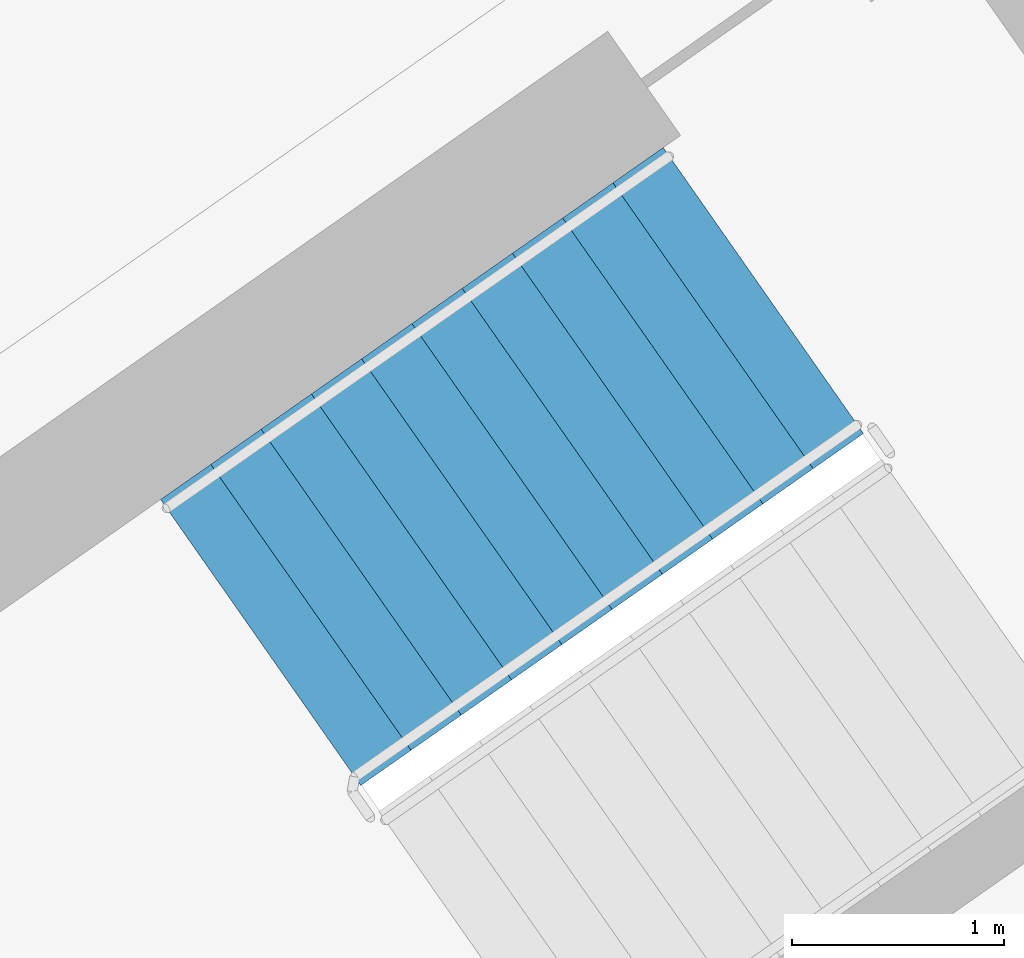
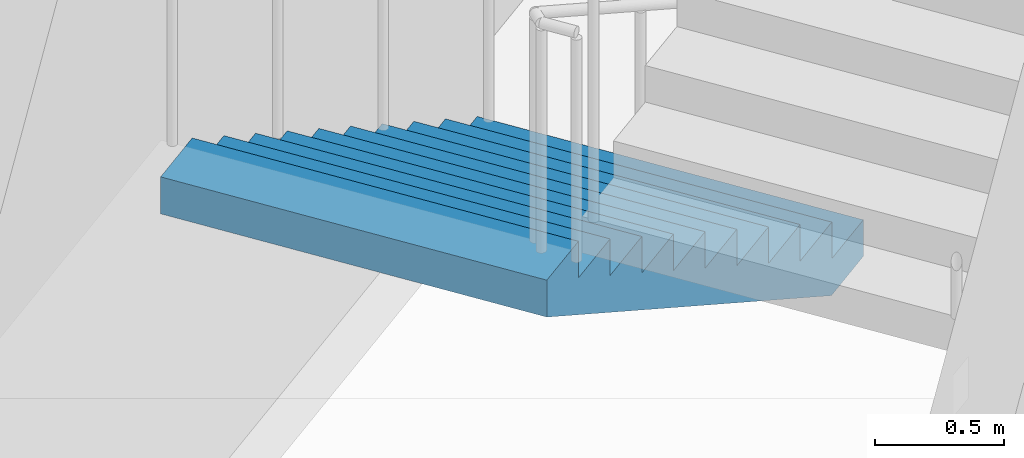
# One storey, part 15 of 30: 1 stair flight, 1 element without a shape of its own.
"""IFC4 building model written with IfcOpenShell, lengths in metres."""

from ifc_helpers import new_model, si_unit, direction, frame, origin, place, context, subcontext, project, spatial, faceted_brep, material, type_object, element, aggregate, save


model = new_model("IFC4")

# Units and contexts
model_context = context("Model", 3, precision=1e-05, world=origin(), true_north=direction((0.0, 1.0)))
body_context = subcontext(model_context, "Body", "Model", "MODEL_VIEW")
ifc_project = project(units=[si_unit("LENGTHUNIT", "METRE"), si_unit("AREAUNIT", "SQUARE_METRE"), si_unit("VOLUMEUNIT", "CUBIC_METRE"), si_unit("PLANEANGLEUNIT", "RADIAN"), si_unit("MASSUNIT", "GRAM", prefix="KILO")], contexts=[model_context])

# Site, building, storey
site_placement = place(None, origin())
site = spatial("IfcSite", under=ifc_project, at=site_placement, CompositionType="ELEMENT")
building_placement = place(site_placement, origin())
building = spatial("IfcBuilding", under=site, at=building_placement, Name="Qamariyya Broadcast Tower", CompositionType="ELEMENT")
storey_placement = place(building_placement, frame((0.0, 0.0, 203.699951171875)))
storey = spatial("IfcBuildingStorey", under=building, at=storey_placement, Name="L48", CompositionType="ELEMENT", Elevation=203.699951171875)

# Stair, stair flight
ifc_material = material(Name="Concrete C50/60", Category="concrete")
stair_type = type_object("IfcStairType", Name="Exit stair 22 risers of 173 mm", PredefinedType="HALF_TURN_STAIR", material=ifc_material)
stair_placement = place(storey_placement, origin())
stair = element("IfcStair", 1, at=stair_placement, inside=storey, type_object=stair_type, Name="L48 Stair E2", PredefinedType="HALF_TURN_STAIR")
stair_flight_type = type_object("IfcStairFlightType", Name="Exit stair flight 11 risers of 173 mm", PredefinedType="STRAIGHT", material=ifc_material)
stair_flight_placement = place(storey_placement, frame((40.558837890625, -47.685302734375, 0.0), z_axis=(0.0, 0.0, 1.0), x_axis=(-0.819152044289, -0.573576436351, 0.0)))
stair_flight = element("IfcStairFlight", 2, at=stair_flight_placement, type_object=stair_flight_type, Name="ST-E2 flight 1", NumberOfRisers=11, NumberOfTreads=10, PredefinedType="STRAIGHT", RiserHeight=0.172727273, TreadLength=0.29, context=body_context, shape_type="Brep", body=[
    faceted_brep([(0.0, 0.824951171875, 0.0), (0.0, 0.824951171875, 0.172607421875), (0.2900390625, 0.824951171875, 0.172607421875), (0.2900390625, 0.824951171875, 0.345458984375), (0.580078125, 0.824951171875, 0.345458984375), (0.580078125, 0.824951171875, 0.51806640625), (0.8701171875, 0.824951171875, 0.51806640625), (0.8701171875, 0.824951171875, 0.69091796875), (1.159912109375, 0.824951171875, 0.69091796875), (1.159912109375, 0.824951171875, 0.863525390625), (1.449951171875, 0.824951171875, 0.863525390625), (1.449951171875, 0.824951171875, 1.036376953125), (1.739990234375, 0.824951171875, 1.036376953125), (1.739990234375, 0.824951171875, 1.208984375), (2.030029296875, 0.824951171875, 1.208984375), (2.030029296875, 0.824951171875, 1.3818359375), (2.320068359375, 0.824951171875, 1.3818359375), (2.320068359375, 0.824951171875, 1.554443359375), (2.610107421875, 0.824951171875, 1.554443359375), (2.610107421875, 0.824951171875, 1.727294921875), (2.89990234375, 0.824951171875, 1.727294921875), (2.89990234375, 0.824951171875, 1.552734375), (0.29296875, 0.824951171875, 0.0), (0.29296875, -0.824951171875, 0.0), (2.89990234375, -0.824951171875, 1.552734375), (2.89990234375, -0.824951171875, 1.727294921875), (2.610107421875, -0.824951171875, 1.727294921875), (2.610107421875, -0.824951171875, 1.554443359375), (2.320068359375, -0.824951171875, 1.554443359375), (2.320068359375, -0.824951171875, 1.3818359375), (2.030029296875, -0.824951171875, 1.3818359375), (2.030029296875, -0.824951171875, 1.208984375), (1.739990234375, -0.824951171875, 1.208984375), (1.739990234375, -0.824951171875, 1.036376953125), (1.449951171875, -0.824951171875, 1.036376953125), (1.449951171875, -0.824951171875, 0.863525390625), (1.159912109375, -0.824951171875, 0.863525390625), (1.159912109375, -0.824951171875, 0.69091796875), (0.8701171875, -0.824951171875, 0.69091796875), (0.8701171875, -0.824951171875, 0.51806640625), (0.580078125, -0.824951171875, 0.51806640625), (0.580078125, -0.824951171875, 0.345458984375), (0.2900390625, -0.824951171875, 0.345458984375), (0.2900390625, -0.824951171875, 0.172607421875), (0.0, -0.824951171875, 0.172607421875), (0.0, -0.824951171875, 0.0), (0.0, 0.10009765625, 0.0), (0.0, 0.086669921875, 0.0), (0.0, 0.0732421875, 0.0), (0.0, 0.06005859375, 0.0), (0.0, 0.046630859375, 0.0), (0.0, 0.033447265625, 0.0), (0.0, 0.02001953125, 0.0), (0.0, 0.006591796875, 0.0), (0.0, -0.006591796875, 0.0), (0.0, -0.02001953125, 0.0), (0.0, -0.033447265625, 0.0), (0.0, -0.046630859375, 0.0), (0.0, -0.06005859375, 0.0), (0.0, -0.0732421875, 0.0), (0.0, -0.086669921875, 0.0), (0.0, -0.10009765625, 0.0), (0.0, -0.10009765625, 0.172607421875), (0.0, -0.086669921875, 0.172607421875), (0.0, -0.0732421875, 0.172607421875), (0.0, -0.06005859375, 0.172607421875), (0.0, -0.046630859375, 0.172607421875), (0.0, -0.033447265625, 0.172607421875), (0.0, -0.02001953125, 0.172607421875), (0.0, -0.006591796875, 0.172607421875), (0.0, 0.006591796875, 0.172607421875), (0.0, 0.02001953125, 0.172607421875), (0.0, 0.033447265625, 0.172607421875), (0.0, 0.046630859375, 0.172607421875), (0.0, 0.06005859375, 0.172607421875), (0.0, 0.0732421875, 0.172607421875), (0.0, 0.086669921875, 0.172607421875), (0.0, 0.10009765625, 0.172607421875), (0.2900390625, -0.10009765625, 0.172607421875), (0.2900390625, -0.086669921875, 0.172607421875), (0.2900390625, -0.0732421875, 0.172607421875), (0.2900390625, -0.06005859375, 0.172607421875), (0.2900390625, -0.046630859375, 0.172607421875), (0.2900390625, -0.033447265625, 0.172607421875), (0.2900390625, -0.02001953125, 0.172607421875), (0.2900390625, -0.006591796875, 0.172607421875), (0.2900390625, 0.006591796875, 0.172607421875), (0.2900390625, 0.02001953125, 0.172607421875), (0.2900390625, 0.033447265625, 0.172607421875), (0.2900390625, 0.046630859375, 0.172607421875), (0.2900390625, 0.06005859375, 0.172607421875), (0.2900390625, 0.0732421875, 0.172607421875), (0.2900390625, 0.086669921875, 0.172607421875), (0.2900390625, 0.10009765625, 0.172607421875), (0.2900390625, -0.10009765625, 0.345458984375), (0.2900390625, -0.086669921875, 0.345458984375), (0.2900390625, -0.0732421875, 0.345458984375), (0.2900390625, -0.06005859375, 0.345458984375), (0.2900390625, -0.046630859375, 0.345458984375), (0.2900390625, -0.033447265625, 0.345458984375), (0.2900390625, -0.02001953125, 0.345458984375), (0.2900390625, -0.006591796875, 0.345458984375), (0.2900390625, 0.006591796875, 0.345458984375), (0.2900390625, 0.02001953125, 0.345458984375), (0.2900390625, 0.033447265625, 0.345458984375), (0.2900390625, 0.046630859375, 0.345458984375), (0.2900390625, 0.06005859375, 0.345458984375), (0.2900390625, 0.0732421875, 0.345458984375), (0.2900390625, 0.086669921875, 0.345458984375), (0.2900390625, 0.10009765625, 0.345458984375), (0.580078125, -0.10009765625, 0.345458984375), (0.580078125, -0.086669921875, 0.345458984375), (0.580078125, -0.0732421875, 0.345458984375), (0.580078125, -0.06005859375, 0.345458984375), (0.580078125, -0.046630859375, 0.345458984375), (0.580078125, -0.033447265625, 0.345458984375), (0.580078125, -0.02001953125, 0.345458984375), (0.580078125, -0.006591796875, 0.345458984375), (0.580078125, 0.006591796875, 0.345458984375), (0.580078125, 0.02001953125, 0.345458984375), (0.580078125, 0.033447265625, 0.345458984375), (0.580078125, 0.046630859375, 0.345458984375), (0.580078125, 0.06005859375, 0.345458984375), (0.580078125, 0.0732421875, 0.345458984375), (0.580078125, 0.086669921875, 0.345458984375), (0.580078125, 0.10009765625, 0.345458984375), (0.580078125, -0.10009765625, 0.51806640625), (0.580078125, -0.086669921875, 0.51806640625), (0.580078125, -0.0732421875, 0.51806640625), (0.580078125, -0.06005859375, 0.51806640625), (0.580078125, -0.046630859375, 0.51806640625), (0.580078125, -0.033447265625, 0.51806640625), (0.580078125, -0.02001953125, 0.51806640625), (0.580078125, -0.006591796875, 0.51806640625), (0.580078125, 0.006591796875, 0.51806640625), (0.580078125, 0.02001953125, 0.51806640625), (0.580078125, 0.033447265625, 0.51806640625), (0.580078125, 0.046630859375, 0.51806640625), (0.580078125, 0.06005859375, 0.51806640625), (0.580078125, 0.0732421875, 0.51806640625), (0.580078125, 0.086669921875, 0.51806640625), (0.580078125, 0.10009765625, 0.51806640625), (0.8701171875, -0.10009765625, 0.51806640625), (0.8701171875, -0.086669921875, 0.51806640625), (0.8701171875, -0.0732421875, 0.51806640625), (0.8701171875, -0.06005859375, 0.51806640625), (0.8701171875, -0.046630859375, 0.51806640625), (0.8701171875, -0.033447265625, 0.51806640625), (0.8701171875, -0.02001953125, 0.51806640625), (0.8701171875, -0.006591796875, 0.51806640625), (0.8701171875, 0.006591796875, 0.51806640625), (0.8701171875, 0.02001953125, 0.51806640625), (0.8701171875, 0.033447265625, 0.51806640625), (0.8701171875, 0.046630859375, 0.51806640625), (0.8701171875, 0.06005859375, 0.51806640625), (0.8701171875, 0.0732421875, 0.51806640625), (0.8701171875, 0.086669921875, 0.51806640625), (0.8701171875, 0.10009765625, 0.51806640625), (0.8701171875, -0.10009765625, 0.69091796875), (0.8701171875, -0.086669921875, 0.69091796875), (0.8701171875, -0.0732421875, 0.69091796875), (0.8701171875, -0.06005859375, 0.69091796875), (0.8701171875, -0.046630859375, 0.69091796875), (0.8701171875, -0.033447265625, 0.69091796875), (0.8701171875, -0.02001953125, 0.69091796875), (0.8701171875, -0.006591796875, 0.69091796875), (0.8701171875, 0.006591796875, 0.69091796875), (0.8701171875, 0.02001953125, 0.69091796875), (0.8701171875, 0.033447265625, 0.69091796875), (0.8701171875, 0.046630859375, 0.69091796875), (0.8701171875, 0.06005859375, 0.69091796875), (0.8701171875, 0.0732421875, 0.69091796875), (0.8701171875, 0.086669921875, 0.69091796875), (0.8701171875, 0.10009765625, 0.69091796875), (1.159912109375, -0.10009765625, 0.69091796875), (1.159912109375, -0.086669921875, 0.69091796875), (1.159912109375, -0.0732421875, 0.69091796875), (1.159912109375, -0.06005859375, 0.69091796875), (1.159912109375, -0.046630859375, 0.69091796875), (1.159912109375, -0.033447265625, 0.69091796875), (1.159912109375, -0.02001953125, 0.69091796875), (1.159912109375, -0.006591796875, 0.69091796875), (1.159912109375, 0.006591796875, 0.69091796875), (1.159912109375, 0.02001953125, 0.69091796875), (1.159912109375, 0.033447265625, 0.69091796875), (1.159912109375, 0.046630859375, 0.69091796875), (1.159912109375, 0.06005859375, 0.69091796875), (1.159912109375, 0.0732421875, 0.69091796875), (1.159912109375, 0.086669921875, 0.69091796875), (1.159912109375, 0.10009765625, 0.69091796875), (1.159912109375, -0.10009765625, 0.863525390625), (1.159912109375, -0.086669921875, 0.863525390625), (1.159912109375, -0.0732421875, 0.863525390625), (1.159912109375, -0.06005859375, 0.863525390625), (1.159912109375, -0.046630859375, 0.863525390625), (1.159912109375, -0.033447265625, 0.863525390625), (1.159912109375, -0.02001953125, 0.863525390625), (1.159912109375, -0.006591796875, 0.863525390625), (1.159912109375, 0.006591796875, 0.863525390625), (1.159912109375, 0.02001953125, 0.863525390625), (1.159912109375, 0.033447265625, 0.863525390625), (1.159912109375, 0.046630859375, 0.863525390625), (1.159912109375, 0.06005859375, 0.863525390625), (1.159912109375, 0.0732421875, 0.863525390625), (1.159912109375, 0.086669921875, 0.863525390625), (1.159912109375, 0.10009765625, 0.863525390625), (1.449951171875, -0.10009765625, 0.863525390625), (1.449951171875, -0.086669921875, 0.863525390625), (1.449951171875, -0.0732421875, 0.863525390625), (1.449951171875, -0.06005859375, 0.863525390625), (1.449951171875, -0.046630859375, 0.863525390625), (1.449951171875, -0.033447265625, 0.863525390625), (1.449951171875, -0.02001953125, 0.863525390625), (1.449951171875, -0.006591796875, 0.863525390625), (1.449951171875, 0.006591796875, 0.863525390625), (1.449951171875, 0.02001953125, 0.863525390625), (1.449951171875, 0.033447265625, 0.863525390625), (1.449951171875, 0.046630859375, 0.863525390625), (1.449951171875, 0.06005859375, 0.863525390625), (1.449951171875, 0.0732421875, 0.863525390625), (1.449951171875, 0.086669921875, 0.863525390625), (1.449951171875, 0.10009765625, 0.863525390625), (1.449951171875, -0.10009765625, 1.036376953125), (1.449951171875, -0.086669921875, 1.036376953125), (1.449951171875, -0.0732421875, 1.036376953125), (1.449951171875, -0.06005859375, 1.036376953125), (1.449951171875, -0.046630859375, 1.036376953125), (1.449951171875, -0.033447265625, 1.036376953125), (1.449951171875, -0.02001953125, 1.036376953125), (1.449951171875, -0.006591796875, 1.036376953125), (1.449951171875, 0.006591796875, 1.036376953125), (1.449951171875, 0.02001953125, 1.036376953125), (1.449951171875, 0.033447265625, 1.036376953125), (1.449951171875, 0.046630859375, 1.036376953125), (1.449951171875, 0.06005859375, 1.036376953125), (1.449951171875, 0.0732421875, 1.036376953125), (1.449951171875, 0.086669921875, 1.036376953125), (1.449951171875, 0.10009765625, 1.036376953125), (1.739990234375, -0.10009765625, 1.036376953125), (1.739990234375, -0.086669921875, 1.036376953125), (1.739990234375, -0.0732421875, 1.036376953125), (1.739990234375, -0.06005859375, 1.036376953125), (1.739990234375, -0.046630859375, 1.036376953125), (1.739990234375, -0.033447265625, 1.036376953125), (1.739990234375, -0.02001953125, 1.036376953125), (1.739990234375, -0.006591796875, 1.036376953125), (1.739990234375, 0.006591796875, 1.036376953125), (1.739990234375, 0.02001953125, 1.036376953125), (1.739990234375, 0.033447265625, 1.036376953125), (1.739990234375, 0.046630859375, 1.036376953125), (1.739990234375, 0.06005859375, 1.036376953125), (1.739990234375, 0.0732421875, 1.036376953125), (1.739990234375, 0.086669921875, 1.036376953125), (1.739990234375, 0.10009765625, 1.036376953125), (1.739990234375, -0.10009765625, 1.208984375), (1.739990234375, -0.086669921875, 1.208984375), (1.739990234375, -0.0732421875, 1.208984375), (1.739990234375, -0.06005859375, 1.208984375), (1.739990234375, -0.046630859375, 1.208984375), (1.739990234375, -0.033447265625, 1.208984375), (1.739990234375, -0.02001953125, 1.208984375), (1.739990234375, -0.006591796875, 1.208984375), (1.739990234375, 0.006591796875, 1.208984375), (1.739990234375, 0.02001953125, 1.208984375), (1.739990234375, 0.033447265625, 1.208984375), (1.739990234375, 0.046630859375, 1.208984375), (1.739990234375, 0.06005859375, 1.208984375), (1.739990234375, 0.0732421875, 1.208984375), (1.739990234375, 0.086669921875, 1.208984375), (1.739990234375, 0.10009765625, 1.208984375), (2.030029296875, -0.10009765625, 1.208984375), (2.030029296875, -0.086669921875, 1.208984375), (2.030029296875, -0.0732421875, 1.208984375), (2.030029296875, -0.06005859375, 1.208984375), (2.030029296875, -0.046630859375, 1.208984375), (2.030029296875, -0.033447265625, 1.208984375), (2.030029296875, -0.02001953125, 1.208984375), (2.030029296875, -0.006591796875, 1.208984375), (2.030029296875, 0.006591796875, 1.208984375), (2.030029296875, 0.02001953125, 1.208984375), (2.030029296875, 0.033447265625, 1.208984375), (2.030029296875, 0.046630859375, 1.208984375), (2.030029296875, 0.06005859375, 1.208984375), (2.030029296875, 0.0732421875, 1.208984375), (2.030029296875, 0.086669921875, 1.208984375), (2.030029296875, 0.10009765625, 1.208984375), (2.030029296875, -0.10009765625, 1.3818359375), (2.030029296875, -0.086669921875, 1.3818359375), (2.030029296875, -0.0732421875, 1.3818359375), (2.030029296875, -0.06005859375, 1.3818359375), (2.030029296875, -0.046630859375, 1.3818359375), (2.030029296875, -0.033447265625, 1.3818359375), (2.030029296875, -0.02001953125, 1.3818359375), (2.030029296875, -0.006591796875, 1.3818359375), (2.030029296875, 0.006591796875, 1.3818359375), (2.030029296875, 0.02001953125, 1.3818359375), (2.030029296875, 0.033447265625, 1.3818359375), (2.030029296875, 0.046630859375, 1.3818359375), (2.030029296875, 0.06005859375, 1.3818359375), (2.030029296875, 0.0732421875, 1.3818359375), (2.030029296875, 0.086669921875, 1.3818359375), (2.030029296875, 0.10009765625, 1.3818359375), (2.320068359375, -0.10009765625, 1.3818359375), (2.320068359375, -0.086669921875, 1.3818359375), (2.320068359375, -0.0732421875, 1.3818359375), (2.320068359375, -0.06005859375, 1.3818359375), (2.320068359375, -0.046630859375, 1.3818359375), (2.320068359375, -0.033447265625, 1.3818359375), (2.320068359375, -0.02001953125, 1.3818359375), (2.320068359375, -0.006591796875, 1.3818359375), (2.320068359375, 0.006591796875, 1.3818359375), (2.320068359375, 0.02001953125, 1.3818359375), (2.320068359375, 0.033447265625, 1.3818359375), (2.320068359375, 0.046630859375, 1.3818359375), (2.320068359375, 0.06005859375, 1.3818359375), (2.320068359375, 0.0732421875, 1.3818359375), (2.320068359375, 0.086669921875, 1.3818359375), (2.320068359375, 0.10009765625, 1.3818359375), (2.320068359375, -0.10009765625, 1.554443359375), (2.320068359375, -0.086669921875, 1.554443359375), (2.320068359375, -0.0732421875, 1.554443359375), (2.320068359375, -0.06005859375, 1.554443359375), (2.320068359375, -0.046630859375, 1.554443359375), (2.320068359375, -0.033447265625, 1.554443359375), (2.320068359375, -0.02001953125, 1.554443359375), (2.320068359375, -0.006591796875, 1.554443359375), (2.320068359375, 0.006591796875, 1.554443359375), (2.320068359375, 0.02001953125, 1.554443359375), (2.320068359375, 0.033447265625, 1.554443359375), (2.320068359375, 0.046630859375, 1.554443359375), (2.320068359375, 0.06005859375, 1.554443359375), (2.320068359375, 0.0732421875, 1.554443359375), (2.320068359375, 0.086669921875, 1.554443359375), (2.320068359375, 0.10009765625, 1.554443359375), (2.610107421875, -0.10009765625, 1.554443359375), (2.610107421875, -0.086669921875, 1.554443359375), (2.610107421875, -0.0732421875, 1.554443359375), (2.610107421875, -0.06005859375, 1.554443359375), (2.610107421875, -0.046630859375, 1.554443359375), (2.610107421875, -0.033447265625, 1.554443359375), (2.610107421875, -0.02001953125, 1.554443359375), (2.610107421875, -0.006591796875, 1.554443359375), (2.610107421875, 0.006591796875, 1.554443359375), (2.610107421875, 0.02001953125, 1.554443359375), (2.610107421875, 0.033447265625, 1.554443359375), (2.610107421875, 0.046630859375, 1.554443359375), (2.610107421875, 0.06005859375, 1.554443359375), (2.610107421875, 0.0732421875, 1.554443359375), (2.610107421875, 0.086669921875, 1.554443359375), (2.610107421875, 0.10009765625, 1.554443359375), (2.610107421875, -0.10009765625, 1.727294921875), (2.610107421875, -0.086669921875, 1.727294921875), (2.610107421875, -0.0732421875, 1.727294921875), (2.610107421875, -0.06005859375, 1.727294921875), (2.610107421875, -0.046630859375, 1.727294921875), (2.610107421875, -0.033447265625, 1.727294921875), (2.610107421875, -0.02001953125, 1.727294921875), (2.610107421875, -0.006591796875, 1.727294921875), (2.610107421875, 0.006591796875, 1.727294921875), (2.610107421875, 0.02001953125, 1.727294921875), (2.610107421875, 0.033447265625, 1.727294921875), (2.610107421875, 0.046630859375, 1.727294921875), (2.610107421875, 0.06005859375, 1.727294921875), (2.610107421875, 0.0732421875, 1.727294921875), (2.610107421875, 0.086669921875, 1.727294921875), (2.610107421875, 0.10009765625, 1.727294921875), (2.89990234375, -0.10009765625, 1.727294921875), (2.89990234375, -0.086669921875, 1.727294921875), (2.89990234375, -0.0732421875, 1.727294921875), (2.89990234375, -0.06005859375, 1.727294921875), (2.89990234375, -0.046630859375, 1.727294921875), (2.89990234375, -0.033447265625, 1.727294921875), (2.89990234375, -0.02001953125, 1.727294921875), (2.89990234375, -0.006591796875, 1.727294921875), (2.89990234375, 0.006591796875, 1.727294921875), (2.89990234375, 0.02001953125, 1.727294921875), (2.89990234375, 0.033447265625, 1.727294921875), (2.89990234375, 0.046630859375, 1.727294921875), (2.89990234375, 0.06005859375, 1.727294921875), (2.89990234375, 0.0732421875, 1.727294921875), (2.89990234375, 0.086669921875, 1.727294921875), (2.89990234375, 0.10009765625, 1.727294921875), (2.89990234375, -0.10009765625, 1.552734375), (2.89990234375, -0.086669921875, 1.552734375), (2.89990234375, -0.0732421875, 1.552734375), (2.89990234375, -0.06005859375, 1.552734375), (2.89990234375, -0.046630859375, 1.552734375), (2.89990234375, -0.033447265625, 1.552734375), (2.89990234375, -0.02001953125, 1.552734375), (2.89990234375, -0.006591796875, 1.552734375), (2.89990234375, 0.006591796875, 1.552734375), (2.89990234375, 0.02001953125, 1.552734375), (2.89990234375, 0.033447265625, 1.552734375), (2.89990234375, 0.046630859375, 1.552734375), (2.89990234375, 0.06005859375, 1.552734375), (2.89990234375, 0.0732421875, 1.552734375), (2.89990234375, 0.086669921875, 1.552734375), (2.89990234375, 0.10009765625, 1.552734375), (0.29296875, -0.10009765625, 0.0), (0.29296875, -0.086669921875, 0.0), (0.29296875, -0.0732421875, 0.0), (0.29296875, -0.06005859375, 0.0), (0.29296875, -0.046630859375, 0.0), (0.29296875, -0.033447265625, 0.0), (0.29296875, -0.02001953125, 0.0), (0.29296875, -0.006591796875, 0.0), (0.29296875, 0.006591796875, 0.0), (0.29296875, 0.02001953125, 0.0), (0.29296875, 0.033447265625, 0.0), (0.29296875, 0.046630859375, 0.0), (0.29296875, 0.06005859375, 0.0), (0.29296875, 0.0732421875, 0.0), (0.29296875, 0.086669921875, 0.0), (0.29296875, 0.10009765625, 0.0)], [[[0, 1, 2, 3, 4, 5, 6, 7, 8, 9, 10, 11, 12, 13, 14, 15, 16, 17, 18, 19, 20, 21, 22]], [[23, 24, 25, 26, 27, 28, 29, 30, 31, 32, 33, 34, 35, 36, 37, 38, 39, 40, 41, 42, 43, 44, 45]], [[0, 46, 47, 48, 49, 50, 51, 52, 53, 54, 55, 56, 57, 58, 59, 60, 61, 45, 44, 62, 63, 64, 65, 66, 67, 68, 69, 70, 71, 72, 73, 74, 75, 76, 77, 1]], [[1, 77, 76, 75, 74, 73, 72, 71, 70, 69, 68, 67, 66, 65, 64, 63, 62, 44, 43, 78, 79, 80, 81, 82, 83, 84, 85, 86, 87, 88, 89, 90, 91, 92, 93, 2]], [[2, 93, 92, 91, 90, 89, 88, 87, 86, 85, 84, 83, 82, 81, 80, 79, 78, 43, 42, 94, 95, 96, 97, 98, 99, 100, 101, 102, 103, 104, 105, 106, 107, 108, 109, 3]], [[3, 109, 108, 107, 106, 105, 104, 103, 102, 101, 100, 99, 98, 97, 96, 95, 94, 42, 41, 110, 111, 112, 113, 114, 115, 116, 117, 118, 119, 120, 121, 122, 123, 124, 125, 4]], [[4, 125, 124, 123, 122, 121, 120, 119, 118, 117, 116, 115, 114, 113, 112, 111, 110, 41, 40, 126, 127, 128, 129, 130, 131, 132, 133, 134, 135, 136, 137, 138, 139, 140, 141, 5]], [[5, 141, 140, 139, 138, 137, 136, 135, 134, 133, 132, 131, 130, 129, 128, 127, 126, 40, 39, 142, 143, 144, 145, 146, 147, 148, 149, 150, 151, 152, 153, 154, 155, 156, 157, 6]], [[6, 157, 156, 155, 154, 153, 152, 151, 150, 149, 148, 147, 146, 145, 144, 143, 142, 39, 38, 158, 159, 160, 161, 162, 163, 164, 165, 166, 167, 168, 169, 170, 171, 172, 173, 7]], [[7, 173, 172, 171, 170, 169, 168, 167, 166, 165, 164, 163, 162, 161, 160, 159, 158, 38, 37, 174, 175, 176, 177, 178, 179, 180, 181, 182, 183, 184, 185, 186, 187, 188, 189, 8]], [[8, 189, 188, 187, 186, 185, 184, 183, 182, 181, 180, 179, 178, 177, 176, 175, 174, 37, 36, 190, 191, 192, 193, 194, 195, 196, 197, 198, 199, 200, 201, 202, 203, 204, 205, 9]], [[9, 205, 204, 203, 202, 201, 200, 199, 198, 197, 196, 195, 194, 193, 192, 191, 190, 36, 35, 206, 207, 208, 209, 210, 211, 212, 213, 214, 215, 216, 217, 218, 219, 220, 221, 10]], [[10, 221, 220, 219, 218, 217, 216, 215, 214, 213, 212, 211, 210, 209, 208, 207, 206, 35, 34, 222, 223, 224, 225, 226, 227, 228, 229, 230, 231, 232, 233, 234, 235, 236, 237, 11]], [[11, 237, 236, 235, 234, 233, 232, 231, 230, 229, 228, 227, 226, 225, 224, 223, 222, 34, 33, 238, 239, 240, 241, 242, 243, 244, 245, 246, 247, 248, 249, 250, 251, 252, 253, 12]], [[12, 253, 252, 251, 250, 249, 248, 247, 246, 245, 244, 243, 242, 241, 240, 239, 238, 33, 32, 254, 255, 256, 257, 258, 259, 260, 261, 262, 263, 264, 265, 266, 267, 268, 269, 13]], [[13, 269, 268, 267, 266, 265, 264, 263, 262, 261, 260, 259, 258, 257, 256, 255, 254, 32, 31, 270, 271, 272, 273, 274, 275, 276, 277, 278, 279, 280, 281, 282, 283, 284, 285, 14]], [[14, 285, 284, 283, 282, 281, 280, 279, 278, 277, 276, 275, 274, 273, 272, 271, 270, 31, 30, 286, 287, 288, 289, 290, 291, 292, 293, 294, 295, 296, 297, 298, 299, 300, 301, 15]], [[15, 301, 300, 299, 298, 297, 296, 295, 294, 293, 292, 291, 290, 289, 288, 287, 286, 30, 29, 302, 303, 304, 305, 306, 307, 308, 309, 310, 311, 312, 313, 314, 315, 316, 317, 16]], [[16, 317, 316, 315, 314, 313, 312, 311, 310, 309, 308, 307, 306, 305, 304, 303, 302, 29, 28, 318, 319, 320, 321, 322, 323, 324, 325, 326, 327, 328, 329, 330, 331, 332, 333, 17]], [[17, 333, 332, 331, 330, 329, 328, 327, 326, 325, 324, 323, 322, 321, 320, 319, 318, 28, 27, 334, 335, 336, 337, 338, 339, 340, 341, 342, 343, 344, 345, 346, 347, 348, 349, 18]], [[18, 349, 348, 347, 346, 345, 344, 343, 342, 341, 340, 339, 338, 337, 336, 335, 334, 27, 26, 350, 351, 352, 353, 354, 355, 356, 357, 358, 359, 360, 361, 362, 363, 364, 365, 19]], [[19, 365, 364, 363, 362, 361, 360, 359, 358, 357, 356, 355, 354, 353, 352, 351, 350, 26, 25, 366, 367, 368, 369, 370, 371, 372, 373, 374, 375, 376, 377, 378, 379, 380, 381, 20]], [[20, 381, 380, 379, 378, 377, 376, 375, 374, 373, 372, 371, 370, 369, 368, 367, 366, 25, 24, 382, 383, 384, 385, 386, 387, 388, 389, 390, 391, 392, 393, 394, 395, 396, 397, 21]], [[21, 397, 396, 395, 394, 393, 392, 391, 390, 389, 388, 387, 386, 385, 384, 383, 382, 24, 23, 398, 399, 400, 401, 402, 403, 404, 405, 406, 407, 408, 409, 410, 411, 412, 413, 22]], [[22, 413, 412, 411, 410, 409, 408, 407, 406, 405, 404, 403, 402, 401, 400, 399, 398, 23, 45, 61, 60, 59, 58, 57, 56, 55, 54, 53, 52, 51, 50, 49, 48, 47, 46, 0]]]),
])
aggregate(stair, [stair_flight])

save(model, "model.ifc")
